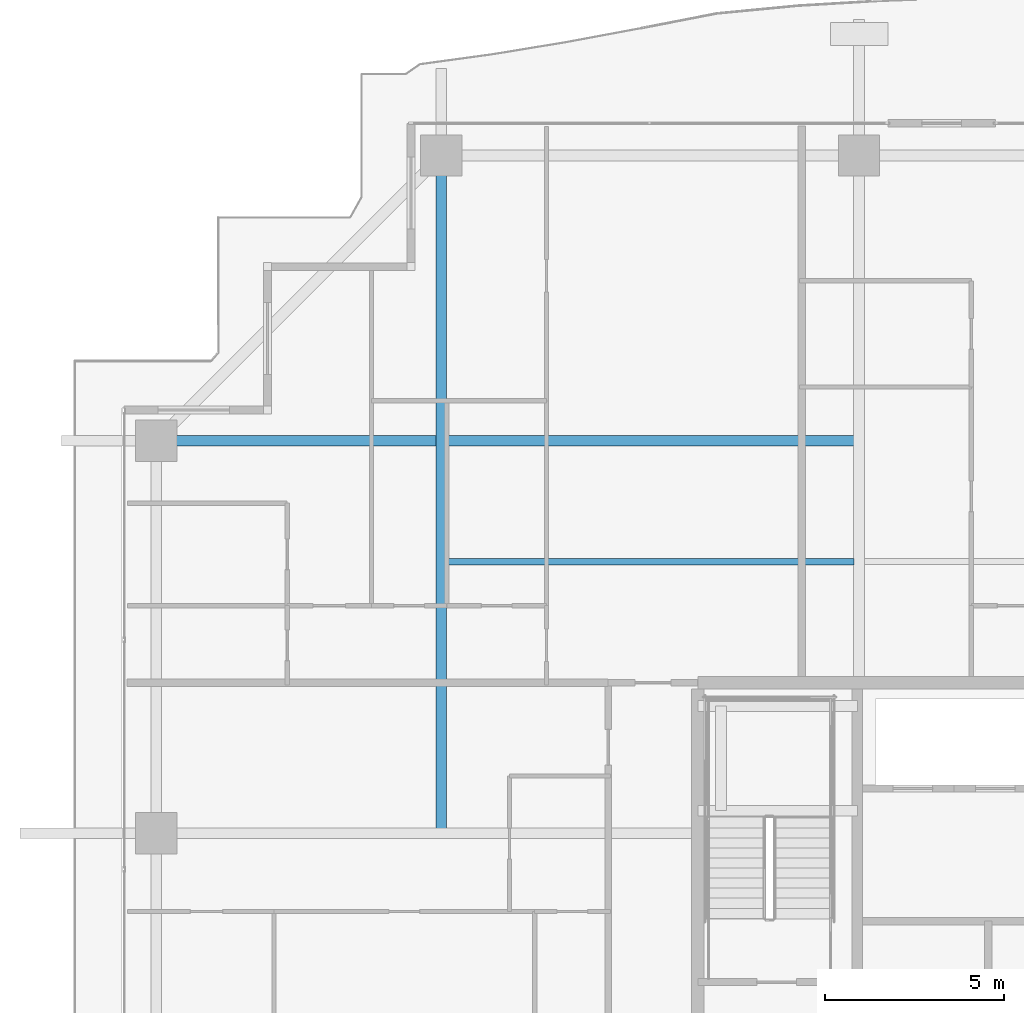
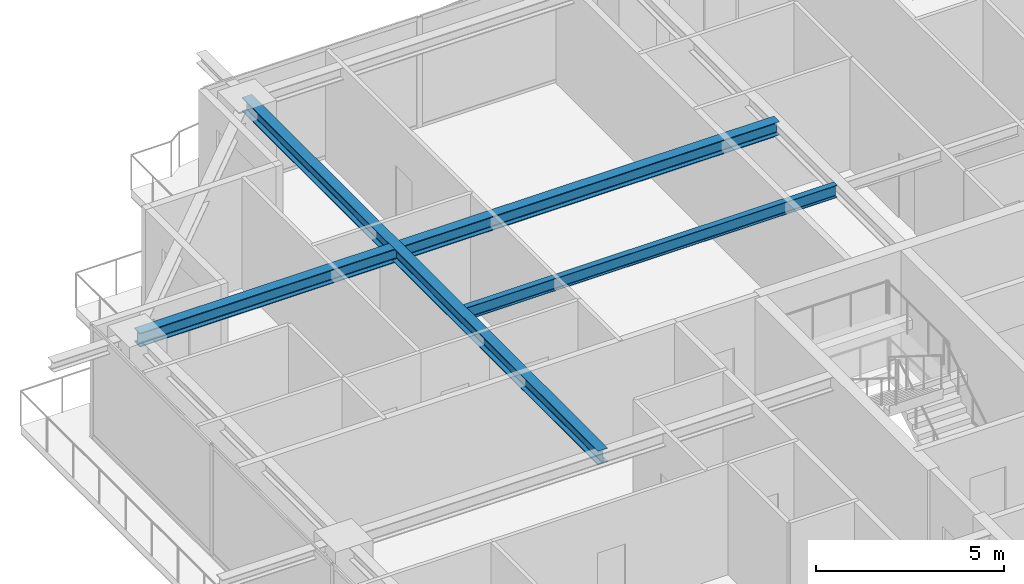
# One storey, part 17 of 37: 3 beams.
"""IFC4 building model written with IfcOpenShell, lengths in metres."""

from ifc_helpers import new_model, si_unit, direction, frame, origin, origin_2d, place, context, subcontext, project, spatial, i_section, extrude, source, transform, mapped, material, material_profile, profile_set, type_object, element, save


model = new_model("IFC4")

# Units and contexts
model_context = context("Model", 3, precision=1e-05, world=origin(), true_north=direction((0.0, 1.0)))
body_context = subcontext(model_context, "Body", "Model", "MODEL_VIEW")
ifc_project = project(units=[si_unit("LENGTHUNIT", "METRE"), si_unit("AREAUNIT", "SQUARE_METRE"), si_unit("VOLUMEUNIT", "CUBIC_METRE"), si_unit("PLANEANGLEUNIT", "RADIAN"), si_unit("MASSUNIT", "GRAM", prefix="KILO")], contexts=[model_context])

# Site, building, storey
site_placement = place(None, origin())
site = spatial("IfcSite", under=ifc_project, at=site_placement, CompositionType="ELEMENT")
building_placement = place(site_placement, origin())
building = spatial("IfcBuilding", under=site, at=building_placement, Name="Serunith Strait Residences", CompositionType="ELEMENT")
storey_placement = place(building_placement, frame((0.0, 0.0, 279.75)))
storey = spatial("IfcBuildingStorey", under=building, at=storey_placement, Name="L70", CompositionType="ELEMENT", Elevation=279.75)

# Beams
ifc_material = material(Name="Steel S355J2", Category="steel")
ifc_material_profile_1 = material_profile(ifc_material, i_section(OverallWidth=0.300048828125, OverallDepth=0.449951171875, WebThickness=0.013916015625, FlangeThickness=0.02587890625, FilletRadius=0.027099609375, at=origin_2d()), Name="HEB 450")
ifc_profile_set_1 = profile_set([ifc_material_profile_1], Name="Steel S355J2")
beam_type_1 = type_object("IfcBeamType", Name="BM-HEB450", PredefinedType="BEAM", material=ifc_profile_set_1)
shared_shape_1 = source(origin(), body_context, "Body", "SweptSolid", [
    extrude(i_section(OverallWidth=0.300048828125, OverallDepth=0.449951171875, WebThickness=0.013916015625, FlangeThickness=0.02587890625, FilletRadius=0.027099609375, at=origin_2d()), origin(), (0.0, 0.0, 1.0), 18.900146484375),
])
beam_1_placement = place(storey_placement, frame((16.25, 29.39990234375, 3.362060546875), z_axis=(0.0, 1.0, 0.0), x_axis=(-1.0, 0.0, 0.0)))
element("IfcBeam", 1, at=beam_1_placement, inside=storey, type_object=beam_type_1, Name="L70 Orthogonal Corner Girder TC-N1", PredefinedType="BEAM", context=body_context, shape_type="MappedRepresentation", body=[
    mapped(shared_shape_1, transform((0.0, 0.0, 0.0), scale=1.0)),
])
shared_shape_2 = source(origin(), body_context, "Body", "SweptSolid", [
    extrude(i_section(OverallWidth=0.300048828125, OverallDepth=0.449951171875, WebThickness=0.013916015625, FlangeThickness=0.02587890625, FilletRadius=0.027099609375, at=origin_2d()), origin(), (0.0, 0.0, 1.0), 19.599853515625),
])
beam_2_placement = place(storey_placement, frame((27.89990234375, 40.35009765625, 3.362060546875), z_axis=(-1.0, 0.0, 0.0), x_axis=(0.0, -1.0, 0.0)))
element("IfcBeam", 2, at=beam_2_placement, inside=storey, type_object=beam_type_1, Name="L70 Orthogonal Corner Girder TC-W4", PredefinedType="BEAM", context=body_context, shape_type="MappedRepresentation", body=[
    mapped(shared_shape_2, transform((0.0, 0.0, 0.0), scale=1.0)),
])
ifc_material_profile_2 = material_profile(ifc_material, i_section(OverallWidth=0.179931640625, OverallDepth=0.39990234375, WebThickness=0.008544921875, FlangeThickness=0.013427734375, FilletRadius=0.02099609375, at=origin_2d()), Name="IPE 400")
ifc_profile_set_2 = profile_set([ifc_material_profile_2], Name="Steel S355J2")
beam_type_2 = type_object("IfcBeamType", Name="BM-IPE400", PredefinedType="JOIST", material=ifc_profile_set_2)
shared_shape_3 = source(origin(), body_context, "Body", "SweptSolid", [
    extrude(i_section(OverallWidth=0.179931640625, OverallDepth=0.39990234375, WebThickness=0.008544921875, FlangeThickness=0.013427734375, FilletRadius=0.02099609375, at=origin_2d()), origin(), (0.0, 0.0, 1.0), 11.35009765625),
])
beam_3_placement = place(storey_placement, frame((16.39990234375, 36.97509765625, 3.386962890625), z_axis=(1.0, 0.0, 0.0), x_axis=(0.0, 1.0, 0.0)))
element("IfcBeam", 3, at=beam_3_placement, inside=storey, type_object=beam_type_2, Name="L70 Composite Floor Joist 04", PredefinedType="JOIST", context=body_context, shape_type="MappedRepresentation", body=[
    mapped(shared_shape_3, transform((0.0, 0.0, 0.0), scale=1.0)),
])

save(model, "model.ifc")
